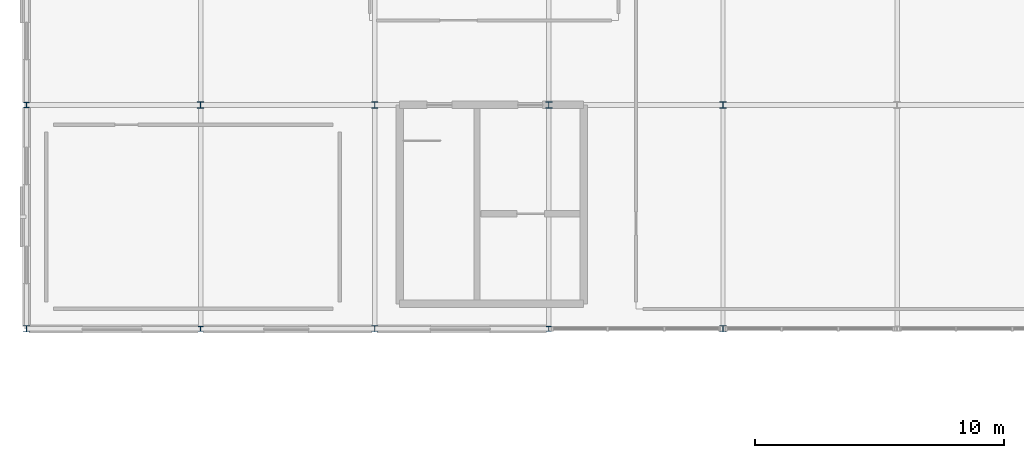
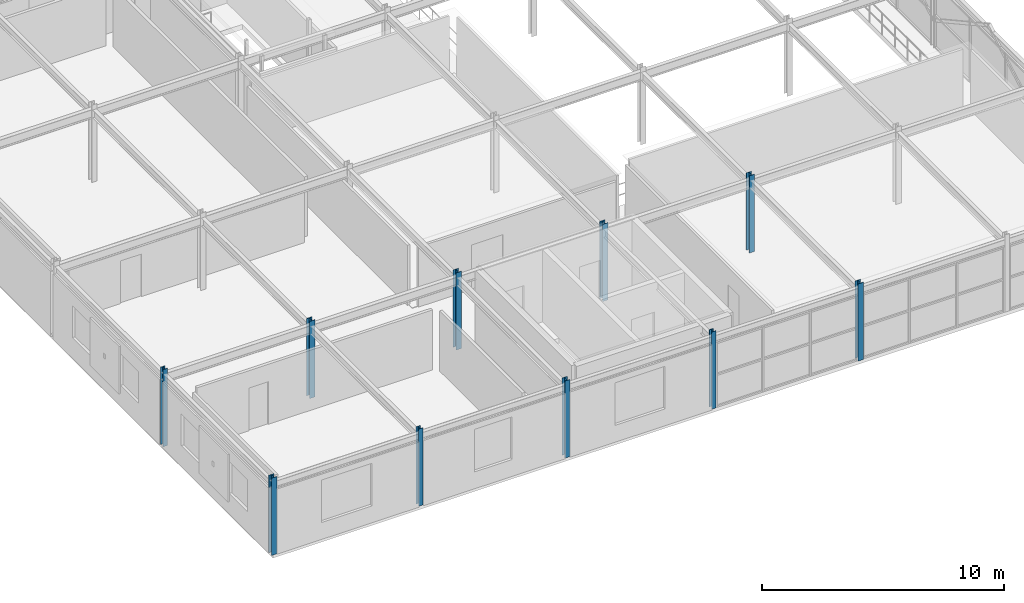
# One storey, part 2 of 98: 10 columns.
"""IFC4 building model written with IfcOpenShell, lengths in metres."""

from ifc_helpers import new_model, si_unit, derived_unit, direction, frame, origin, origin_2d_with_axis, place, context, subcontext, project, spatial, i_section, extrude, material, material_profile, profile_set, type_object, element, save


model = new_model("IFC4")

# Units and contexts
model_context = context("Model", 3, precision=1e-05, world=origin(), true_north=direction((0.0, 1.0)))
body_context = subcontext(model_context, "Body", "Model", "MODEL_VIEW")
ifc_project = project(units=[si_unit("LENGTHUNIT", "METRE"), si_unit("AREAUNIT", "SQUARE_METRE"), si_unit("VOLUMEUNIT", "CUBIC_METRE"), si_unit("PLANEANGLEUNIT", "RADIAN"), si_unit("MASSUNIT", "GRAM", prefix="KILO"), derived_unit("THERMALTRANSMITTANCEUNIT", [(si_unit("POWERUNIT", "WATT"), 1), (si_unit("LENGTHUNIT", "METRE"), -2), (si_unit("THERMODYNAMICTEMPERATUREUNIT", "KELVIN"), -1)])], contexts=[model_context])

# Site, building, storey
site_placement = place(None, origin())
site = spatial("IfcSite", under=ifc_project, at=site_placement, CompositionType="ELEMENT")
building_placement = place(site_placement, origin())
building = spatial("IfcBuilding", under=site, at=building_placement, Name="Cinnabar Yard Market Hall", CompositionType="ELEMENT")
storey_placement = place(building_placement, frame((0.0, 0.0, 4.5)))
storey = spatial("IfcBuildingStorey", under=building, at=storey_placement, Name="L01", CompositionType="ELEMENT", Elevation=4.5)

# Columns
ifc_material = material(Name="Steel Grade 300 (300 MPa)", Category="steel")
ifc_material_profile_1 = material_profile(ifc_material, i_section(OverallWidth=0.256103515625, OverallDepth=0.260009765625, WebThickness=0.010498046875, FlangeThickness=0.017333984375, FilletRadius=0.013916015625, at=origin_2d_with_axis()), Name="250UC89.5")
ifc_profile_set_1 = profile_set([ifc_material_profile_1], Name="Steel Grade 300 (300 MPa)")
column_type_1 = type_object("IfcColumnType", Name="COL-C10", PredefinedType="COLUMN", material=ifc_profile_set_1)
for number, where, z_axis, x_axis, name in (
    (1, (17.0, 57.0, 0.0), (0.0, 0.0, 1.0), (1.0, 0.0, 0.0), "Pavilion Column V2-02-02 L01"),
    (2, (24.0, 57.0, 0.0), (0.0, 0.0, 1.0), (1.0, 0.0, 0.0), "Pavilion Column V2-03-02 L01"),
    (3, (31.0, 57.0, 0.0), (0.0, 0.0, 1.0), (1.0, 0.0, 0.0), "Pavilion Column V2-04-02 L01"),
    (4, (38.0, 57.0, 0.0), (0.0, 0.0, 1.0), (1.0, 0.0, 0.0), "Pavilion Column V2-05-02 L01"),
):
    element("IfcColumn", number, at=place(storey_placement, frame(where, z_axis=z_axis, x_axis=x_axis)), inside=storey, type_object=column_type_1, Name=name, PredefinedType="COLUMN", context=body_context, shape_type="SweptSolid", body=[
        extrude(i_section(OverallWidth=0.256103515625, OverallDepth=0.260009765625, WebThickness=0.010498046875, FlangeThickness=0.017333984375, FilletRadius=0.013916015625, at=origin_2d_with_axis()), origin(), (0.0, 0.0, 1.0), 3.89990234375),
    ])
ifc_material_profile_2 = material_profile(ifc_material, i_section(OverallWidth=0.25390625, OverallDepth=0.25390625, WebThickness=0.008544921875, FlangeThickness=0.01416015625, FilletRadius=0.013916015625, at=origin_2d_with_axis()), Name="250UC72.9")
ifc_profile_set_2 = profile_set([ifc_material_profile_2], Name="Steel Grade 300 (300 MPa)")
column_type_2 = type_object("IfcColumnType", Name="COL-C11E", PredefinedType="COLUMN", material=ifc_profile_set_2)
for number, where, z_axis, x_axis, name in (
    (5, (10.0, 48.0, 0.0), (0.0, 0.0, 1.0), (1.0, 0.0, 0.0), "Pavilion Column V2-01-01 L01"),
    (6, (24.0, 48.0, 0.0), (0.0, 0.0, 1.0), (1.0, 0.0, 0.0), "Pavilion Column V2-03-01 L01"),
    (7, (38.0, 48.0, 0.0), (0.0, 0.0, 1.0), (1.0, 0.0, 0.0), "Pavilion Column V2-05-01 L01"),
):
    element("IfcColumn", number, at=place(storey_placement, frame(where, z_axis=z_axis, x_axis=x_axis)), inside=storey, type_object=column_type_2, Name=name, PredefinedType="COLUMN", context=body_context, shape_type="SweptSolid", body=[
        extrude(i_section(OverallWidth=0.25390625, OverallDepth=0.25390625, WebThickness=0.008544921875, FlangeThickness=0.01416015625, FilletRadius=0.013916015625, at=origin_2d_with_axis()), origin(), (0.0, 0.0, 1.0), 3.89990234375),
    ])
ifc_material_profile_3 = material_profile(ifc_material, i_section(OverallWidth=0.205078125, OverallDepth=0.209716796875, WebThickness=0.00927734375, FlangeThickness=0.01416015625, FilletRadius=0.011474609375, at=origin_2d_with_axis()), Name="200UC59.5")
ifc_profile_set_3 = profile_set([ifc_material_profile_3], Name="Steel Grade 300 (300 MPa)")
column_type_3 = type_object("IfcColumnType", Name="COL-C12E", PredefinedType="COLUMN", material=ifc_profile_set_3)
for number, where, z_axis, x_axis, name in (
    (8, (10.0, 57.0, 0.0), (0.0, 0.0, 1.0), (1.0, 0.0, 0.0), "Pavilion Column V2-01-02 L01"),
    (9, (17.0, 48.0, 0.0), (0.0, 0.0, 1.0), (1.0, 0.0, 0.0), "Pavilion Column V2-02-01 L01"),
    (10, (31.0, 48.0, 0.0), (0.0, 0.0, 1.0), (1.0, 0.0, 0.0), "Pavilion Column V2-04-01 L01"),
):
    element("IfcColumn", number, at=place(storey_placement, frame(where, z_axis=z_axis, x_axis=x_axis)), inside=storey, type_object=column_type_3, Name=name, PredefinedType="COLUMN", context=body_context, shape_type="SweptSolid", body=[
        extrude(i_section(OverallWidth=0.205078125, OverallDepth=0.209716796875, WebThickness=0.00927734375, FlangeThickness=0.01416015625, FilletRadius=0.011474609375, at=origin_2d_with_axis()), origin(), (0.0, 0.0, 1.0), 3.89990234375),
    ])

save(model, "model.ifc")
